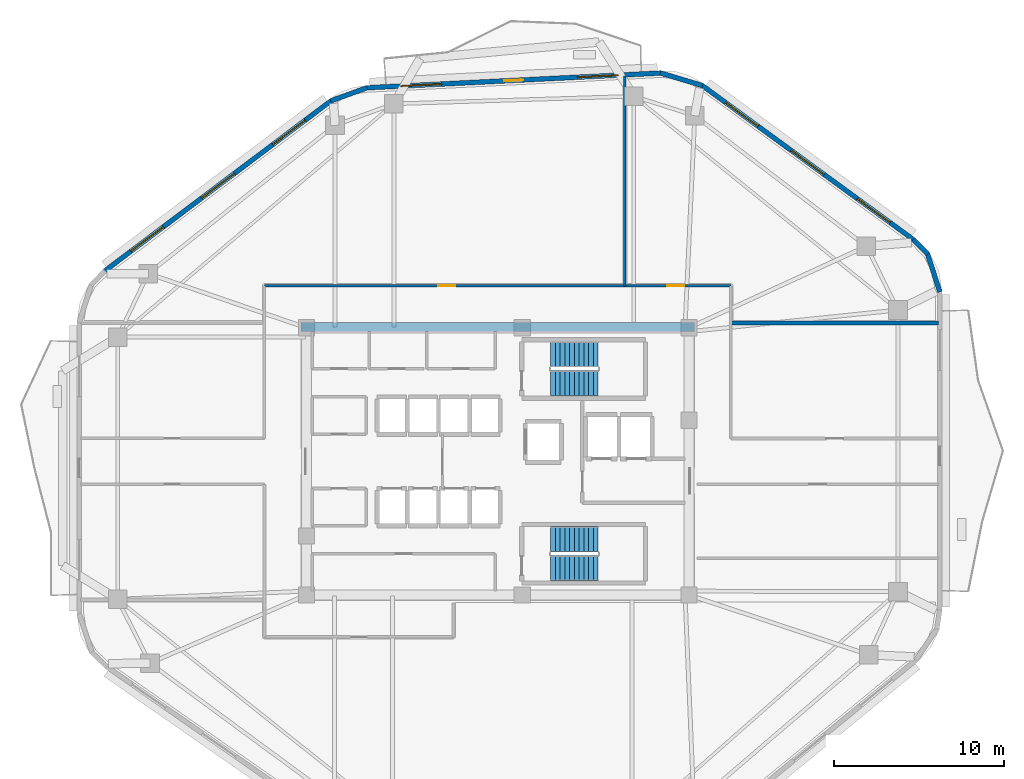
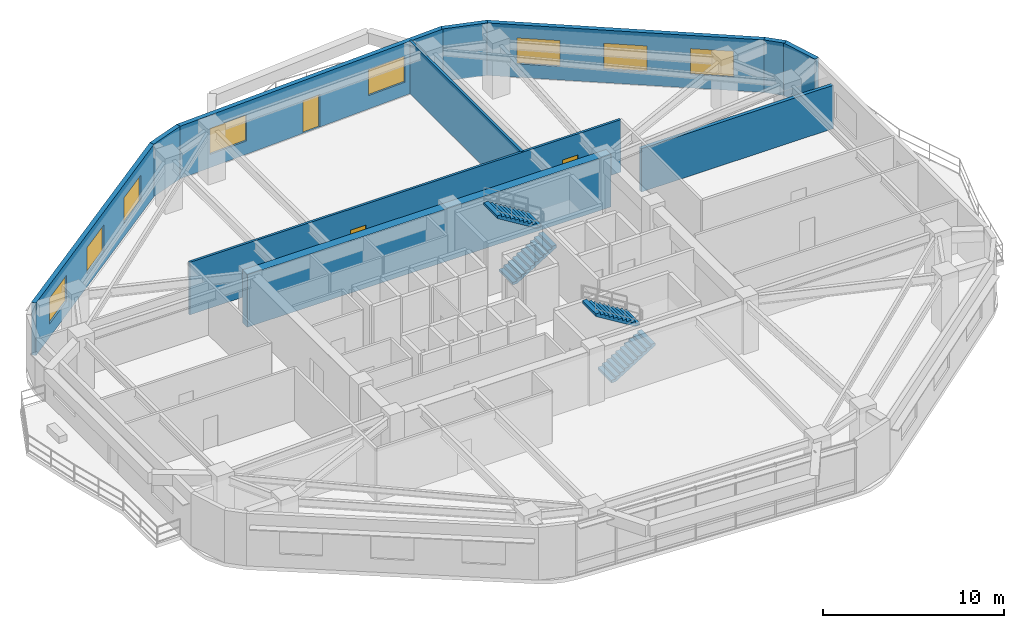
# One storey, part 11 of 14: 11 walls, 8 windows, 4 stair flights, 3 doors, 11 openings, 2 elements without a shape of their own.
"""IFC4 building model written with IfcOpenShell, lengths in metres."""

from ifc_helpers import new_model, si_unit, direction, frame, frame_2d, origin, place, context, subcontext, project, spatial, polyline, rectangle, outline, extrude, material, layer, layer_set, type_object, element, fill, aggregate, save


model = new_model("IFC4")

# Units and contexts
model_context = context("Model", 3, precision=1e-05, world=origin(), true_north=direction((0.0, 1.0)))
body_context = subcontext(model_context, "Body", "Model", "MODEL_VIEW")
ifc_project = project(units=[si_unit("LENGTHUNIT", "METRE"), si_unit("AREAUNIT", "SQUARE_METRE"), si_unit("VOLUMEUNIT", "CUBIC_METRE"), si_unit("PLANEANGLEUNIT", "RADIAN"), si_unit("MASSUNIT", "GRAM", prefix="KILO")], contexts=[model_context])

# Site, building, storey
site_placement = place(None, origin())
site = spatial("IfcSite", under=ifc_project, at=site_placement, CompositionType="ELEMENT")
building_placement = place(site_placement, origin())
building = spatial("IfcBuilding", under=site, at=building_placement, Name="Zulverin Broadcast Headquarters", CompositionType="ELEMENT")
storey_placement = place(building_placement, frame((0.0, 0.0, 140.199951171875)))
storey = spatial("IfcBuildingStorey", under=building, at=storey_placement, Name="L35", CompositionType="ELEMENT", Elevation=140.199951171875)

# Walls
ifc_material_1 = material(Name="Double-stud acoustic drywall", Category="gypsum")
ifc_layer_1 = layer(ifc_material_1, 0.219970703125, Name="Double-stud acoustic drywall", Category="gypsum")
ifc_layer_set_1 = layer_set([ifc_layer_1], Name="Double-stud acoustic drywall")
wall_type_1 = type_object("IfcWallType", Name="WL-ACOU-220", PredefinedType="PARTITIONING", material=ifc_layer_set_1)
wall_1_placement = place(storey_placement, frame((50.75, 33.35009765625, 0.0), z_axis=(0.0, 0.0, 1.0), x_axis=(1.0, 0.0, 0.0)))
element("IfcWall", 1, at=wall_1_placement, inside=storey, type_object=wall_type_1, Name="L35 Room Partition Wall RP-14", PredefinedType="PARTITIONING", context=body_context, shape_type="SweptSolid", body=[
    extrude(rectangle(XDim=12.2451171875, YDim=0.219970703125, at=frame_2d((6.12255859375, 0.0))), origin(), (0.0, 0.0, 1.0), 2.9228515625),
])
ifc_material_2 = material(Name="Concrete C60/75", Category="concrete")
ifc_layer_2 = layer(ifc_material_2, 0.550048828125, Name="Concrete C60/75", Category="concrete")
ifc_layer_set_2 = layer_set([ifc_layer_2], Name="Concrete C60/75")
wall_type_2 = type_object("IfcWallType", Name="WL-CORE-550", PredefinedType="SHEAR", material=ifc_layer_set_2)
wall_2_placement = place(storey_placement, frame((25.39990234375, 33.125, 0.0), z_axis=(0.0, 0.0, 1.0), x_axis=(1.0, 0.0, 0.0)))
element("IfcWall", 2, at=wall_2_placement, inside=storey, type_object=wall_type_2, Name="L35 Core North Shear Wall", PredefinedType="SHEAR", context=body_context, shape_type="SweptSolid", body=[
    extrude(rectangle(XDim=23.2001953125, YDim=0.550048828125, at=frame_2d((11.60009765625, 0.0))), origin(), (0.0, 0.0, 1.0), 3.5400390625),
])

# Wall, openings, windows
ifc_material_3 = material(Name="Insulated pale-metal clad concrete spandrel C40/50", Category="concrete")
ifc_layer_3 = layer(ifc_material_3, 0.280029296875, Name="Insulated pale-metal clad concrete spandrel C40/50", Category="concrete")
ifc_layer_set_3 = layer_set([ifc_layer_3], Name="Insulated pale-metal clad concrete spandrel C40/50")
wall_type_3 = type_object("IfcWallType", Name="WL-EXT-280", PredefinedType="STANDARD", material=ifc_layer_set_3)
wall_3_placement = place(storey_placement, frame((61.516357421875, 38.26708984375, 0.0), z_axis=(0.0, 0.0, 1.0), x_axis=(-0.807812505785, 0.589439526582, 0.0)))
wall_3 = element("IfcWall", 3, at=wall_3_placement, inside=storey, type_object=wall_type_3, Name="L35 Pale-Metal Clad Spandrel Wall 4", PredefinedType="STANDARD", context=body_context, shape_type="SweptSolid", body=[
    extrude(rectangle(XDim=15.448486328125, YDim=0.280029296875, at=frame_2d((7.72412109375, 0.0))), origin(), (0.0, 0.0, 1.0), 3.5400390625),
])
opening_1_placement = place(wall_3_placement, frame((1.7080078125, 0.0, 0.89990234375)))
opening_1 = element("IfcOpeningElement", 4, at=opening_1_placement, cuts=wall_3, Name="Opening W-L35-E41", PredefinedType="OPENING", context=body_context, shape_type="SweptSolid", body=[
    extrude(rectangle(XDim=2.39990234375, YDim=1.75, at=frame_2d((1.199951171875, 0.875))), frame((0.0, 0.14990234375, 0.0), z_axis=(0.0, -1.0, 0.0), x_axis=(1.0, 0.0, 0.0)), (0.0, 0.0, 1.0), 0.300048828125),
])
opening_2_placement = place(wall_3_placement, frame((6.524169921875, 0.0, 0.89990234375)))
opening_2 = element("IfcOpeningElement", 5, at=opening_2_placement, cuts=wall_3, Name="Opening W-L35-E42", PredefinedType="OPENING", context=body_context, shape_type="SweptSolid", body=[
    extrude(rectangle(XDim=2.39990234375, YDim=1.75, at=frame_2d((1.199951171875, 0.875))), frame((0.0, 0.14990234375, 0.0), z_axis=(0.0, -1.0, 0.0), x_axis=(1.0, 0.0, 0.0)), (0.0, 0.0, 1.0), 0.300048828125),
])
opening_3_placement = place(wall_3_placement, frame((11.34033203125, 0.0, 0.89990234375)))
opening_3 = element("IfcOpeningElement", 6, at=opening_3_placement, cuts=wall_3, Name="Opening W-L35-E43", PredefinedType="OPENING", context=body_context, shape_type="SweptSolid", body=[
    extrude(rectangle(XDim=2.39990234375, YDim=1.75, at=frame_2d((1.199951171875, 0.875))), frame((0.0, 0.14990234375, 0.0), z_axis=(0.0, -1.0, 0.0), x_axis=(1.0, 0.0, 0.0)), (0.0, 0.0, 1.0), 0.300048828125),
])
ifc_material_4 = material(Name="Pale anodized aluminium frame with solar-control low-E double glazing", Category="aluminium")
window_type = type_object("IfcWindowType", Name="WIN-RIB-2400", PartitioningType="SINGLE_PANEL", PredefinedType="WINDOW", material=ifc_material_4)
window_1_placement = place(opening_1_placement, origin())
window_1 = element("IfcWindow", 7, at=window_1_placement, inside=storey, type_object=window_type, Name="L35 Ribbon Glazing Window 4 1", OverallHeight=1.75, OverallWidth=2.39990234375, PartitioningType="SINGLE_PANEL", PredefinedType="WINDOW", context=body_context, shape_type="SweptSolid", body=[
    extrude(rectangle(XDim=2.39990234375, YDim=1.75, at=frame_2d((1.199951171875, 0.875))), frame((0.0, 0.030029296875, 0.0), z_axis=(0.0, -1.0, 0.0), x_axis=(1.0, 0.0, 0.0)), (0.0, 0.0, 1.0), 0.06005859375),
])
fill(opening_1, window_1)
window_2_placement = place(opening_2_placement, origin())
window_2 = element("IfcWindow", 8, at=window_2_placement, inside=storey, type_object=window_type, Name="L35 Ribbon Glazing Window 4 2", OverallHeight=1.75, OverallWidth=2.39990234375, PartitioningType="SINGLE_PANEL", PredefinedType="WINDOW", context=body_context, shape_type="SweptSolid", body=[
    extrude(rectangle(XDim=2.39990234375, YDim=1.75, at=frame_2d((1.199951171875, 0.875))), frame((0.0, 0.030029296875, 0.0), z_axis=(0.0, -1.0, 0.0), x_axis=(1.0, 0.0, 0.0)), (0.0, 0.0, 1.0), 0.06005859375),
])
fill(opening_2, window_2)
window_3_placement = place(opening_3_placement, origin())
window_3 = element("IfcWindow", 9, at=window_3_placement, inside=storey, type_object=window_type, Name="L35 Ribbon Glazing Window 4 3", OverallHeight=1.75, OverallWidth=2.39990234375, PartitioningType="SINGLE_PANEL", PredefinedType="WINDOW", context=body_context, shape_type="SweptSolid", body=[
    extrude(rectangle(XDim=2.39990234375, YDim=1.75, at=frame_2d((1.199951171875, 0.875))), frame((0.0, 0.030029296875, 0.0), z_axis=(0.0, -1.0, 0.0), x_axis=(1.0, 0.0, 0.0)), (0.0, 0.0, 1.0), 0.06005859375),
])
fill(opening_3, window_3)

# Wall, openings, door, windows
wall_4_placement = place(storey_placement, frame((46.632080078125, 48.091064453125, 0.0), z_axis=(0.0, 0.0, 1.0), x_axis=(-0.998744129094, -0.050101542886, 0.0)))
wall_4 = element("IfcWall", 10, at=wall_4_placement, inside=storey, type_object=wall_type_3, Name="L35 Pale-Metal Clad Spandrel Wall 5", PredefinedType="STANDARD", context=body_context, shape_type="SweptSolid", body=[
    extrude(rectangle(XDim=17.381591796875, YDim=0.280029296875, at=frame_2d((8.69091796875, 0.0))), origin(), (0.0, 0.0, 1.0), 3.5400390625),
])
opening_4_placement = place(wall_4_placement, frame((8.140869140625, 0.0, 0.0)))
opening_4 = element("IfcOpeningElement", 11, at=opening_4_placement, cuts=wall_4, Name="Opening D-L35-TR5", PredefinedType="OPENING", context=body_context, shape_type="SweptSolid", body=[
    extrude(rectangle(XDim=1.10009765625, YDim=2.199951171875, at=frame_2d((0.550048828125, 1.10009765625))), frame((0.0, 0.14990234375, 0.0), z_axis=(0.0, -1.0, 0.0), x_axis=(1.0, 0.0, 0.0)), (0.0, 0.0, 1.0), 0.300048828125),
])
opening_5_placement = place(wall_4_placement, frame((2.5302734375, 0.0, 0.89990234375)))
opening_5 = element("IfcOpeningElement", 12, at=opening_5_placement, cuts=wall_4, Name="Opening W-L35-E51", PredefinedType="OPENING", context=body_context, shape_type="SweptSolid", body=[
    extrude(rectangle(XDim=2.39990234375, YDim=1.75, at=frame_2d((1.199951171875, 0.875))), frame((0.0, 0.14990234375, 0.0), z_axis=(0.0, -1.0, 0.0), x_axis=(1.0, 0.0, 0.0)), (0.0, 0.0, 1.0), 0.300048828125),
])
opening_6_placement = place(wall_4_placement, frame((12.951416015625, 0.0, 0.89990234375)))
opening_6 = element("IfcOpeningElement", 13, at=opening_6_placement, cuts=wall_4, Name="Opening W-L35-E52", PredefinedType="OPENING", context=body_context, shape_type="SweptSolid", body=[
    extrude(rectangle(XDim=2.39990234375, YDim=1.75, at=frame_2d((1.199951171875, 0.875))), frame((0.0, 0.14990234375, 0.0), z_axis=(0.0, -1.0, 0.0), x_axis=(1.0, 0.0, 0.0)), (0.0, 0.0, 1.0), 0.300048828125),
])
ifc_material_5 = material(Name="Thermally broken aluminium glazed", Category="aluminium")
door_type_1 = type_object("IfcDoorType", Name="DR-TERR-1100", OperationType="SINGLE_SWING_RIGHT", PredefinedType="DOOR", material=ifc_material_5)
door_1_placement = place(opening_4_placement, origin())
door_1 = element("IfcDoor", 14, at=door_1_placement, inside=storey, type_object=door_type_1, Name="L35 Planted Terrace Glazed Access Door 5", OperationType="SINGLE_SWING_RIGHT", OverallHeight=2.199951171875, OverallWidth=1.10009765625, PredefinedType="DOOR", context=body_context, shape_type="SweptSolid", body=[
    extrude(rectangle(XDim=1.10009765625, YDim=2.199951171875, at=frame_2d((0.550048828125, 1.10009765625))), frame((0.0, 0.02490234375, 0.0), z_axis=(0.0, -1.0, 0.0), x_axis=(1.0, 0.0, 0.0)), (0.0, 0.0, 1.0), 0.050048828125),
])
fill(opening_4, door_1)
window_4_placement = place(opening_5_placement, origin())
window_4 = element("IfcWindow", 15, at=window_4_placement, inside=storey, type_object=window_type, Name="L35 Ribbon Glazing Window 5 1", OverallHeight=1.75, OverallWidth=2.39990234375, PartitioningType="SINGLE_PANEL", PredefinedType="WINDOW", context=body_context, shape_type="SweptSolid", body=[
    extrude(rectangle(XDim=2.39990234375, YDim=1.75, at=frame_2d((1.199951171875, 0.875))), frame((0.0, 0.030029296875, 0.0), z_axis=(0.0, -1.0, 0.0), x_axis=(1.0, 0.0, 0.0)), (0.0, 0.0, 1.0), 0.06005859375),
])
fill(opening_5, window_4)
window_5_placement = place(opening_6_placement, origin())
window_5 = element("IfcWindow", 16, at=window_5_placement, inside=storey, type_object=window_type, Name="L35 Ribbon Glazing Window 5 2", OverallHeight=1.75, OverallWidth=2.39990234375, PartitioningType="SINGLE_PANEL", PredefinedType="WINDOW", context=body_context, shape_type="SweptSolid", body=[
    extrude(rectangle(XDim=2.39990234375, YDim=1.75, at=frame_2d((1.199951171875, 0.875))), frame((0.0, 0.030029296875, 0.0), z_axis=(0.0, -1.0, 0.0), x_axis=(1.0, 0.0, 0.0)), (0.0, 0.0, 1.0), 0.06005859375),
])
fill(opening_6, window_5)

# Wall, openings, windows
wall_5_placement = place(storey_placement, frame((27.201171875, 46.469970703125, 0.0), z_axis=(0.0, 0.0, 1.0), x_axis=(-0.799280853427, -0.600957666849, 0.0)))
wall_5 = element("IfcWall", 17, at=wall_5_placement, inside=storey, type_object=wall_type_3, Name="L35 Pale-Metal Clad Spandrel Wall 6", PredefinedType="STANDARD", context=body_context, shape_type="SweptSolid", body=[
    extrude(rectangle(XDim=16.716064453125, YDim=0.280029296875, at=frame_2d((8.35791015625, 0.0))), origin(), (0.0, 0.0, 1.0), 3.5400390625),
])
opening_7_placement = place(wall_5_placement, frame((1.91943359375, 0.0, 0.89990234375)))
opening_7 = element("IfcOpeningElement", 18, at=opening_7_placement, cuts=wall_5, Name="Opening W-L35-E61", PredefinedType="OPENING", context=body_context, shape_type="SweptSolid", body=[
    extrude(rectangle(XDim=2.39990234375, YDim=1.75, at=frame_2d((1.199951171875, 0.875))), frame((0.0, 0.14990234375, 0.0), z_axis=(0.0, -1.0, 0.0), x_axis=(1.0, 0.0, 0.0)), (0.0, 0.0, 1.0), 0.300048828125),
])
opening_8_placement = place(wall_5_placement, frame((7.158203125, 0.0, 0.89990234375)))
opening_8 = element("IfcOpeningElement", 19, at=opening_8_placement, cuts=wall_5, Name="Opening W-L35-E62", PredefinedType="OPENING", context=body_context, shape_type="SweptSolid", body=[
    extrude(rectangle(XDim=2.39990234375, YDim=1.75, at=frame_2d((1.199951171875, 0.875))), frame((0.0, 0.14990234375, 0.0), z_axis=(0.0, -1.0, 0.0), x_axis=(1.0, 0.0, 0.0)), (0.0, 0.0, 1.0), 0.300048828125),
])
opening_9_placement = place(wall_5_placement, frame((12.396728515625, 0.0, 0.89990234375)))
opening_9 = element("IfcOpeningElement", 20, at=opening_9_placement, cuts=wall_5, Name="Opening W-L35-E63", PredefinedType="OPENING", context=body_context, shape_type="SweptSolid", body=[
    extrude(rectangle(XDim=2.39990234375, YDim=1.75, at=frame_2d((1.199951171875, 0.875))), frame((0.0, 0.14990234375, 0.0), z_axis=(0.0, -1.0, 0.0), x_axis=(1.0, 0.0, 0.0)), (0.0, 0.0, 1.0), 0.300048828125),
])
window_6_placement = place(opening_7_placement, origin())
window_6 = element("IfcWindow", 21, at=window_6_placement, inside=storey, type_object=window_type, Name="L35 Ribbon Glazing Window 6 1", OverallHeight=1.75, OverallWidth=2.39990234375, PartitioningType="SINGLE_PANEL", PredefinedType="WINDOW", context=body_context, shape_type="SweptSolid", body=[
    extrude(rectangle(XDim=2.39990234375, YDim=1.75, at=frame_2d((1.199951171875, 0.875))), frame((0.0, 0.030029296875, 0.0), z_axis=(0.0, -1.0, 0.0), x_axis=(1.0, 0.0, 0.0)), (0.0, 0.0, 1.0), 0.06005859375),
])
fill(opening_7, window_6)
window_7_placement = place(opening_8_placement, origin())
window_7 = element("IfcWindow", 22, at=window_7_placement, inside=storey, type_object=window_type, Name="L35 Ribbon Glazing Window 6 2", OverallHeight=1.75, OverallWidth=2.39990234375, PartitioningType="SINGLE_PANEL", PredefinedType="WINDOW", context=body_context, shape_type="SweptSolid", body=[
    extrude(rectangle(XDim=2.39990234375, YDim=1.75, at=frame_2d((1.199951171875, 0.875))), frame((0.0, 0.030029296875, 0.0), z_axis=(0.0, -1.0, 0.0), x_axis=(1.0, 0.0, 0.0)), (0.0, 0.0, 1.0), 0.06005859375),
])
fill(opening_8, window_7)
window_8_placement = place(opening_9_placement, origin())
window_8 = element("IfcWindow", 23, at=window_8_placement, inside=storey, type_object=window_type, Name="L35 Ribbon Glazing Window 6 3", OverallHeight=1.75, OverallWidth=2.39990234375, PartitioningType="SINGLE_PANEL", PredefinedType="WINDOW", context=body_context, shape_type="SweptSolid", body=[
    extrude(rectangle(XDim=2.39990234375, YDim=1.75, at=frame_2d((1.199951171875, 0.875))), frame((0.0, 0.030029296875, 0.0), z_axis=(0.0, -1.0, 0.0), x_axis=(1.0, 0.0, 0.0)), (0.0, 0.0, 1.0), 0.06005859375),
])
fill(opening_9, window_8)

# Walls
wall_6_placement = place(storey_placement, frame((63.06689453125, 35.186767578125, 0.0), z_axis=(0.0, 0.0, 1.0), x_axis=(-0.308390504294, 0.951259847182, 0.0)))
element("IfcWall", 24, at=wall_6_placement, inside=storey, type_object=wall_type_3, Name="L35 Wind-Shaped Corner Spandrel Wall 3-1", PredefinedType="STANDARD", context=body_context, shape_type="SweptSolid", body=[
    extrude(rectangle(XDim=2.405029296875, YDim=0.280029296875, at=frame_2d((1.20263671875, 0.0))), origin(), (0.0, 0.0, 1.0), 3.5400390625),
])
wall_7_placement = place(storey_placement, frame((62.359130859375, 37.419189453125, 0.0), z_axis=(0.0, 0.0, 1.0), x_axis=(-0.706003104649, 0.708208737751, 0.0)))
element("IfcWall", 25, at=wall_7_placement, inside=storey, type_object=wall_type_3, Name="L35 Wind-Shaped Corner Spandrel Wall 3-2", PredefinedType="STANDARD", context=body_context, shape_type="SweptSolid", body=[
    extrude(rectangle(XDim=1.217529296875, YDim=0.280029296875, at=frame_2d((0.60888671875, 0.0))), origin(), (0.0, 0.0, 1.0), 3.5400390625),
])
wall_8_placement = place(storey_placement, frame((49.079345703125, 47.35205078125, 0.0), z_axis=(0.0, 0.0, 1.0), x_axis=(-0.958207501709, 0.286074087726, 0.0)))
element("IfcWall", 26, at=wall_8_placement, inside=storey, type_object=wall_type_3, Name="L35 Wind-Shaped Corner Spandrel Wall 4-1", PredefinedType="STANDARD", context=body_context, shape_type="SweptSolid", body=[
    extrude(rectangle(XDim=2.60302734375, YDim=0.280029296875, at=frame_2d((1.301513671875, 0.0))), origin(), (0.0, 0.0, 1.0), 3.5400390625),
])
wall_9_placement = place(storey_placement, frame((29.31298828125, 47.228271484375, 0.0), z_axis=(0.0, 0.0, 1.0), x_axis=(-0.940226330758, -0.340550212084, 0.0)))
element("IfcWall", 27, at=wall_9_placement, inside=storey, type_object=wall_type_3, Name="L35 Wind-Shaped Corner Spandrel Wall 5-1", PredefinedType="STANDARD", context=body_context, shape_type="SweptSolid", body=[
    extrude(rectangle(XDim=2.28466796875, YDim=0.280029296875, at=frame_2d((1.142333984375, 0.0))), origin(), (0.0, 0.0, 1.0), 3.5400390625),
])
ifc_material_6 = material(Name="Fire-rated gypsum stud partition", Category="gypsum")
ifc_layer_4 = layer(ifc_material_6, 0.14990234375, Name="Fire-rated gypsum stud partition", Category="gypsum")
ifc_layer_set_4 = layer_set([ifc_layer_4], Name="Fire-rated gypsum stud partition")
wall_type_4 = type_object("IfcWallType", Name="WL-PART-150", PredefinedType="PARTITIONING", material=ifc_layer_set_4)
wall_10_placement = place(storey_placement, frame((44.5, 35.550048828125, 0.0), z_axis=(0.0, 0.0, 1.0), x_axis=(0.0, 1.0, 0.0)))
element("IfcWall", 28, at=wall_10_placement, inside=storey, type_object=wall_type_4, Name="L35 Room Partition Wall RP-02", PredefinedType="PARTITIONING", context=body_context, shape_type="SweptSolid", body=[
    extrude(rectangle(XDim=12.369140625, YDim=0.14990234375, at=frame_2d((6.1845703125, 0.0))), origin(), (0.0, 0.0, 1.0), 3.5400390625),
])

# Wall, openings, doors
wall_11_placement = place(storey_placement, frame((23.25, 35.550048828125, 0.0), z_axis=(0.0, 0.0, 1.0), x_axis=(1.0, 0.0, 0.0)))
wall_11 = element("IfcWall", 29, at=wall_11_placement, inside=storey, type_object=wall_type_4, Name="L35 Gallery Partition Wall CG-15", PredefinedType="PARTITIONING", context=body_context, shape_type="SweptSolid", body=[
    extrude(rectangle(XDim=27.5, YDim=0.14990234375, at=frame_2d((13.75, 0.0))), origin(), (0.0, 0.0, 1.0), 3.5400390625),
])
opening_10_placement = place(wall_11_placement, frame((10.2451171875, 0.0, 0.0)))
opening_10 = element("IfcOpeningElement", 30, at=opening_10_placement, cuts=wall_11, Name="Opening D-L35-01", PredefinedType="OPENING", context=body_context, shape_type="SweptSolid", body=[
    extrude(rectangle(XDim=1.0, YDim=2.1201171875, at=frame_2d((0.5, 1.06005859375))), frame((0.0, 0.0849609375, 0.0), z_axis=(0.0, -1.0, 0.0), x_axis=(1.0, 0.0, 0.0)), (0.0, 0.0, 1.0), 0.169921875),
])
opening_11_placement = place(wall_11_placement, frame((23.7548828125, 0.0, 0.0)))
opening_11 = element("IfcOpeningElement", 31, at=opening_11_placement, cuts=wall_11, Name="Opening D-L35-02", PredefinedType="OPENING", context=body_context, shape_type="SweptSolid", body=[
    extrude(rectangle(XDim=1.0, YDim=2.1201171875, at=frame_2d((0.5, 1.06005859375))), frame((0.0, 0.0849609375, 0.0), z_axis=(0.0, -1.0, 0.0), x_axis=(1.0, 0.0, 0.0)), (0.0, 0.0, 1.0), 0.169921875),
])
ifc_material_7 = material(Name="Hardwood veneer acoustic leaf", Category="wood")
door_type_2 = type_object("IfcDoorType", Name="DR-OFF-1000", OperationType="SINGLE_SWING_LEFT", PredefinedType="DOOR", material=ifc_material_7)
door_2_placement = place(opening_10_placement, origin())
door_2 = element("IfcDoor", 32, at=door_2_placement, inside=storey, type_object=door_type_2, Name="L35 Weather & Climate Office Door", OperationType="SINGLE_SWING_RIGHT", OverallHeight=2.1201171875, OverallWidth=1.0, PredefinedType="DOOR", context=body_context, shape_type="SweptSolid", body=[
    extrude(rectangle(XDim=1.0, YDim=2.1201171875, at=frame_2d((0.5, 1.06005859375))), frame((0.0, 0.02490234375, 0.0), z_axis=(0.0, -1.0, 0.0), x_axis=(1.0, 0.0, 0.0)), (0.0, 0.0, 1.0), 0.050048828125),
])
fill(opening_10, door_2)
door_3_placement = place(opening_11_placement, origin())
door_3 = element("IfcDoor", 33, at=door_3_placement, inside=storey, type_object=door_type_2, Name="L35 Data Journalism Open Workplace Door", OperationType="SINGLE_SWING_LEFT", OverallHeight=2.1201171875, OverallWidth=1.0, PredefinedType="DOOR", context=body_context, shape_type="SweptSolid", body=[
    extrude(rectangle(XDim=1.0, YDim=2.1201171875, at=frame_2d((0.5, 1.06005859375))), frame((0.0, 0.02490234375, 0.0), z_axis=(0.0, -1.0, 0.0), x_axis=(1.0, 0.0, 0.0)), (0.0, 0.0, 1.0), 0.050048828125),
])
fill(opening_11, door_3)

# Stair, stair flights
ifc_material_8 = material(Name="Concrete C40/50", Category="concrete")
stair_type = type_object("IfcStairType", Name="ST-CORE-1500", PredefinedType="HALF_TURN_STAIR", material=ifc_material_8)
stair_1_placement = place(storey_placement, origin())
stair_1 = element("IfcStair", 34, at=stair_1_placement, inside=storey, type_object=stair_type, Name="L35 Core Exit Stair ST-1", PredefinedType="HALF_TURN_STAIR")
stair_flight_type = type_object("IfcStairFlightType", Name="SF-CORE-1500", PredefinedType="STRAIGHT", material=ifc_material_8)
stair_flight_1_placement = place(storey_placement, frame((40.1298828125, 29.800048828125, 0.0), z_axis=(0.0, 0.0, 1.0), x_axis=(1.0, 0.0, 0.0)))
stair_flight_1 = element("IfcStairFlight", 35, at=stair_flight_1_placement, type_object=stair_flight_type, Name="ST-1 flight 1", NumberOfRisers=11, NumberOfTreads=10, PredefinedType="STRAIGHT", RiserHeight=0.172727273, TreadLength=0.28, context=body_context, shape_type="SweptSolid", body=[
    extrude(outline(polyline([(0.0, 0.0), (0.0, 0.172607421875), (0.280029296875, 0.172607421875), (0.280029296875, 0.345458984375), (0.56005859375, 0.345458984375), (0.56005859375, 0.51806640625), (0.840087890625, 0.51806640625), (0.840087890625, 0.69091796875), (1.1201171875, 0.69091796875), (1.1201171875, 0.863525390625), (1.39990234375, 0.863525390625), (1.39990234375, 1.036376953125), (1.679931640625, 1.036376953125), (1.679931640625, 1.208984375), (1.9599609375, 1.208984375), (1.9599609375, 1.3818359375), (2.239990234375, 1.3818359375), (2.239990234375, 1.554443359375), (2.52001953125, 1.554443359375), (2.52001953125, 1.727294921875), (2.800048828125, 1.727294921875), (2.800048828125, 1.89990234375), (2.800048828125, 1.551025390625), (0.285400390625, 0.0), (0.0, 0.0)])), frame((0.0, 0.75, 0.0), z_axis=(0.0, -1.0, 0.0), x_axis=(1.0, 0.0, 0.0)), (0.0, 0.0, 1.0), 1.5),
])
stair_flight_2_placement = place(storey_placement, frame((42.929931640625, 31.5, 1.900146484375), z_axis=(0.0, 0.0, 1.0), x_axis=(-1.0, 0.0, 0.0)))
stair_flight_2 = element("IfcStairFlight", 36, at=stair_flight_2_placement, type_object=stair_flight_type, Name="ST-1 flight 2", NumberOfRisers=11, NumberOfTreads=10, PredefinedType="STRAIGHT", RiserHeight=0.172727273, TreadLength=0.28, context=body_context, shape_type="SweptSolid", body=[
    extrude(outline(polyline([(0.0, 0.0), (0.0, 0.172607421875), (0.280029296875, 0.172607421875), (0.280029296875, 0.345458984375), (0.56005859375, 0.345458984375), (0.56005859375, 0.51806640625), (0.840087890625, 0.51806640625), (0.840087890625, 0.69091796875), (1.1201171875, 0.69091796875), (1.1201171875, 0.863525390625), (1.39990234375, 0.863525390625), (1.39990234375, 1.036376953125), (1.679931640625, 1.036376953125), (1.679931640625, 1.208984375), (1.9599609375, 1.208984375), (1.9599609375, 1.3818359375), (2.239990234375, 1.3818359375), (2.239990234375, 1.554443359375), (2.52001953125, 1.554443359375), (2.52001953125, 1.727294921875), (2.800048828125, 1.727294921875), (2.800048828125, 1.89990234375), (2.800048828125, 1.551025390625), (0.285400390625, 0.0), (0.0, 0.0)])), frame((0.0, 0.75, 0.0), z_axis=(0.0, -1.0, 0.0), x_axis=(1.0, 0.0, 0.0)), (0.0, 0.0, 1.0), 1.5),
])
aggregate(stair_1, [stair_flight_1, stair_flight_2])

stair_2_placement = place(storey_placement, origin())
stair_2 = element("IfcStair", 37, at=stair_2_placement, inside=storey, type_object=stair_type, Name="L35 Core Exit Stair ST-2", PredefinedType="HALF_TURN_STAIR")
stair_flight_3_placement = place(storey_placement, frame((40.1298828125, 18.89990234375, 0.0), z_axis=(0.0, 0.0, 1.0), x_axis=(1.0, 0.0, 0.0)))
stair_flight_3 = element("IfcStairFlight", 38, at=stair_flight_3_placement, type_object=stair_flight_type, Name="ST-2 flight 1", NumberOfRisers=11, NumberOfTreads=10, PredefinedType="STRAIGHT", RiserHeight=0.172727273, TreadLength=0.28, context=body_context, shape_type="SweptSolid", body=[
    extrude(outline(polyline([(0.0, 0.0), (0.0, 0.172607421875), (0.280029296875, 0.172607421875), (0.280029296875, 0.345458984375), (0.56005859375, 0.345458984375), (0.56005859375, 0.51806640625), (0.840087890625, 0.51806640625), (0.840087890625, 0.69091796875), (1.1201171875, 0.69091796875), (1.1201171875, 0.863525390625), (1.39990234375, 0.863525390625), (1.39990234375, 1.036376953125), (1.679931640625, 1.036376953125), (1.679931640625, 1.208984375), (1.9599609375, 1.208984375), (1.9599609375, 1.3818359375), (2.239990234375, 1.3818359375), (2.239990234375, 1.554443359375), (2.52001953125, 1.554443359375), (2.52001953125, 1.727294921875), (2.800048828125, 1.727294921875), (2.800048828125, 1.89990234375), (2.800048828125, 1.551025390625), (0.285400390625, 0.0), (0.0, 0.0)])), frame((0.0, 0.75, 0.0), z_axis=(0.0, -1.0, 0.0), x_axis=(1.0, 0.0, 0.0)), (0.0, 0.0, 1.0), 1.5),
])
stair_flight_4_placement = place(storey_placement, frame((42.929931640625, 20.60009765625, 1.900146484375), z_axis=(0.0, 0.0, 1.0), x_axis=(-1.0, 0.0, 0.0)))
stair_flight_4 = element("IfcStairFlight", 39, at=stair_flight_4_placement, type_object=stair_flight_type, Name="ST-2 flight 2", NumberOfRisers=11, NumberOfTreads=10, PredefinedType="STRAIGHT", RiserHeight=0.172727273, TreadLength=0.28, context=body_context, shape_type="SweptSolid", body=[
    extrude(outline(polyline([(0.0, 0.0), (0.0, 0.172607421875), (0.280029296875, 0.172607421875), (0.280029296875, 0.345458984375), (0.56005859375, 0.345458984375), (0.56005859375, 0.51806640625), (0.840087890625, 0.51806640625), (0.840087890625, 0.69091796875), (1.1201171875, 0.69091796875), (1.1201171875, 0.863525390625), (1.39990234375, 0.863525390625), (1.39990234375, 1.036376953125), (1.679931640625, 1.036376953125), (1.679931640625, 1.208984375), (1.9599609375, 1.208984375), (1.9599609375, 1.3818359375), (2.239990234375, 1.3818359375), (2.239990234375, 1.554443359375), (2.52001953125, 1.554443359375), (2.52001953125, 1.727294921875), (2.800048828125, 1.727294921875), (2.800048828125, 1.89990234375), (2.800048828125, 1.551025390625), (0.285400390625, 0.0), (0.0, 0.0)])), frame((0.0, 0.75, 0.0), z_axis=(0.0, -1.0, 0.0), x_axis=(1.0, 0.0, 0.0)), (0.0, 0.0, 1.0), 1.5),
])
aggregate(stair_2, [stair_flight_3, stair_flight_4])

save(model, "model.ifc")
